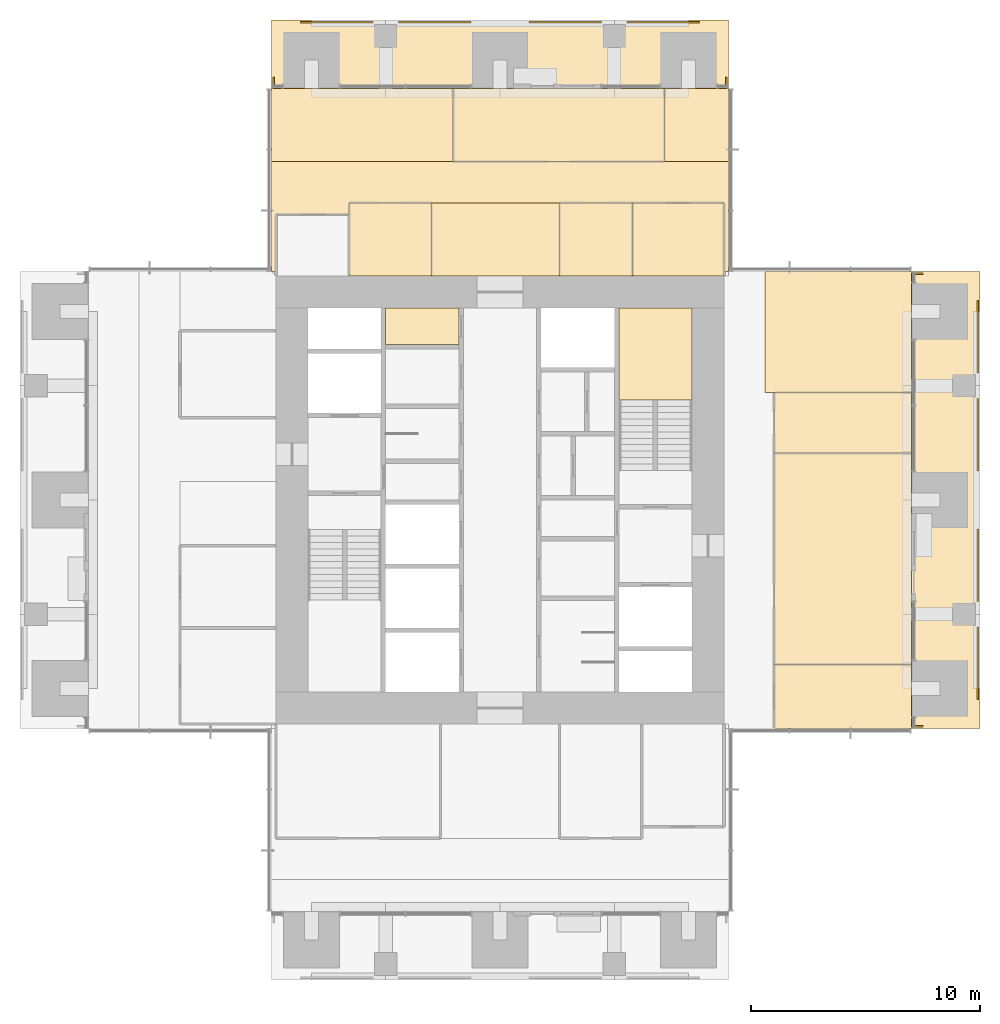
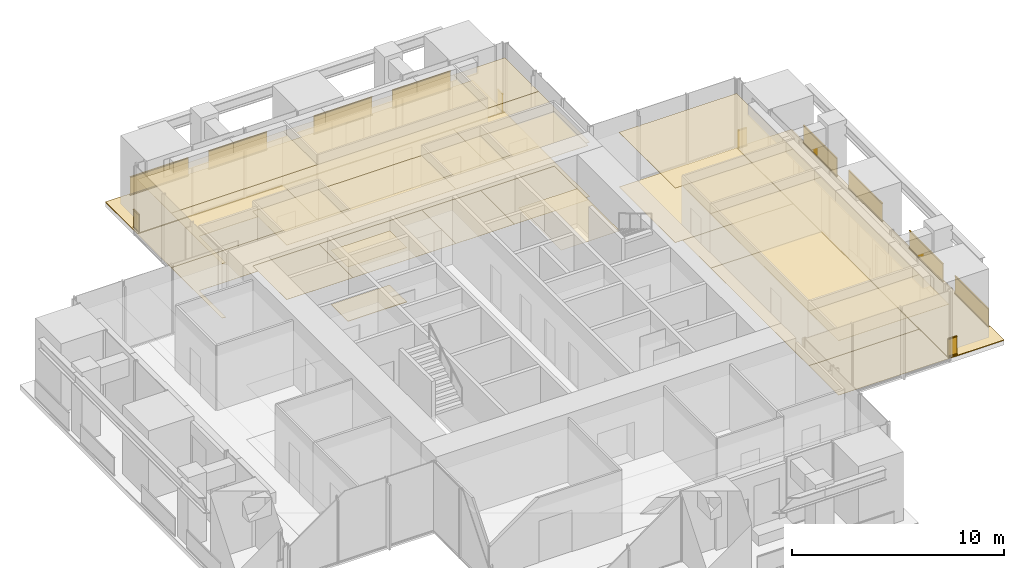
# One storey, part 16 of 17: 29 coverings, 12 railings.
"""IFC4 building model written with IfcOpenShell, lengths in metres."""

from ifc_helpers import new_model, si_unit, direction, frame, origin, origin_2d, place, context, subcontext, project, spatial, polyline, rectangle, outline, extrude, material, layer, layer_set, type_object, element, save


model = new_model("IFC4")

# Units and contexts
model_context = context("Model", 3, precision=1e-05, world=origin(), true_north=direction((0.0, 1.0)))
body_context = subcontext(model_context, "Body", "Model", "MODEL_VIEW")
ifc_project = project(units=[si_unit("LENGTHUNIT", "METRE"), si_unit("AREAUNIT", "SQUARE_METRE"), si_unit("VOLUMEUNIT", "CUBIC_METRE"), si_unit("PLANEANGLEUNIT", "RADIAN"), si_unit("MASSUNIT", "GRAM", prefix="KILO")], contexts=[model_context])

# Site, building, storey
site_placement = place(None, origin())
site = spatial("IfcSite", under=ifc_project, at=site_placement, CompositionType="ELEMENT")
building_placement = place(site_placement, origin())
building = spatial("IfcBuilding", under=site, at=building_placement, Name="Svetlomir Tower", CompositionType="ELEMENT")
storey_placement = place(building_placement, frame((0.0, 0.0, 178.5)))
storey = spatial("IfcBuildingStorey", under=building, at=storey_placement, Name="L42", CompositionType="ELEMENT", Elevation=178.5)

# Railings
ifc_material_1 = material(Name="Bronze anodised aluminium and laminated glass", Category="aluminium")
railing_type = type_object("IfcRailingType", Name="BALCONY GUARD GR1 1100", PredefinedType="GUARDRAIL", material=ifc_material_1)
for number, where, name in (
    (1, (41.89990234375, 12.27490234375, 0.0), "Loggia guard E L42 bay 1"),
    (2, (41.89990234375, 16.550048828125, 0.0), "Loggia guard E L42 bay 2"),
    (3, (41.89990234375, 22.27490234375, 0.0), "Loggia guard E L42 bay 3"),
    (4, (41.89990234375, 26.550048828125, 0.0), "Loggia guard E L42 bay 4"),
):
    element("IfcRailing", number, at=place(storey_placement, frame(where)), inside=storey, type_object=railing_type, Name=name, PredefinedType="GUARDRAIL", context=body_context, shape_type="SweptSolid", body=[
        extrude(rectangle(XDim=0.06005859375, YDim=0.10009765625, at=origin_2d()), frame((0.0, 0.0, 0.050048828125), z_axis=(0.0, 1.0, 0.0), x_axis=(-1.0, 0.0, 0.0)), (0.0, 0.0, 1.0), 3.175048828125),
        extrude(rectangle(XDim=0.021484375, YDim=0.960205078125, at=origin_2d()), frame((0.0, 0.0, 0.580078125), z_axis=(0.0, 1.0, 0.0), x_axis=(-1.0, 0.0, 0.0)), (0.0, 0.0, 1.0), 3.175048828125),
        extrude(rectangle(XDim=0.06005859375, YDim=0.0400390625, at=origin_2d()), frame((0.0, 0.0, 1.080078125), z_axis=(0.0, 1.0, 0.0), x_axis=(-1.0, 0.0, 0.0)), (0.0, 0.0, 1.0), 3.175048828125),
    ])
for number, where, name in (
    (5, (39.5, 11.10009765625, 0.0), "Loggia guard E L42 end 1"),
    (6, (39.5, 30.89990234375, 0.0), "Loggia guard E L42 end 2"),
):
    element("IfcRailing", number, at=place(storey_placement, frame(where)), inside=storey, type_object=railing_type, Name=name, PredefinedType="GUARDRAIL", context=body_context, shape_type="SweptSolid", body=[
        extrude(rectangle(XDim=0.06005859375, YDim=0.10009765625, at=origin_2d()), frame((0.0, 0.0, 0.050048828125), z_axis=(-1.0, 0.0, 0.0), x_axis=(0.0, -1.0, 0.0)), (0.0, 0.0, 1.0), 0.5),
        extrude(rectangle(XDim=0.021484375, YDim=0.960205078125, at=origin_2d()), frame((0.0, 0.0, 0.580078125), z_axis=(-1.0, 0.0, 0.0), x_axis=(0.0, -1.0, 0.0)), (0.0, 0.0, 1.0), 0.5),
        extrude(rectangle(XDim=0.06005859375, YDim=0.0400390625, at=origin_2d()), frame((0.0, 0.0, 1.080078125), z_axis=(-1.0, 0.0, 0.0), x_axis=(0.0, -1.0, 0.0)), (0.0, 0.0, 1.0), 0.5),
    ])
for number, where, name in (
    (7, (12.27490234375, 41.89990234375, 0.0), "Loggia guard N L42 bay 1"),
    (8, (16.550048828125, 41.89990234375, 0.0), "Loggia guard N L42 bay 2"),
    (9, (22.27490234375, 41.89990234375, 0.0), "Loggia guard N L42 bay 3"),
    (10, (26.550048828125, 41.89990234375, 0.0), "Loggia guard N L42 bay 4"),
):
    element("IfcRailing", number, at=place(storey_placement, frame(where)), inside=storey, type_object=railing_type, Name=name, PredefinedType="GUARDRAIL", context=body_context, shape_type="SweptSolid", body=[
        extrude(rectangle(XDim=0.06005859375, YDim=0.10009765625, at=origin_2d()), frame((0.0, 0.0, 0.050048828125), z_axis=(1.0, 0.0, 0.0), x_axis=(0.0, 1.0, 0.0)), (0.0, 0.0, 1.0), 3.175048828125),
        extrude(rectangle(XDim=0.021484375, YDim=0.960205078125, at=origin_2d()), frame((0.0, 0.0, 0.580078125), z_axis=(1.0, 0.0, 0.0), x_axis=(0.0, 1.0, 0.0)), (0.0, 0.0, 1.0), 3.175048828125),
        extrude(rectangle(XDim=0.06005859375, YDim=0.0400390625, at=origin_2d()), frame((0.0, 0.0, 1.080078125), z_axis=(1.0, 0.0, 0.0), x_axis=(0.0, 1.0, 0.0)), (0.0, 0.0, 1.0), 3.175048828125),
    ])
for number, where, name in (
    (11, (11.10009765625, 39.5, 0.0), "Loggia guard N L42 end 1"),
    (12, (30.89990234375, 39.5, 0.0), "Loggia guard N L42 end 2"),
):
    element("IfcRailing", number, at=place(storey_placement, frame(where)), inside=storey, type_object=railing_type, Name=name, PredefinedType="GUARDRAIL", context=body_context, shape_type="SweptSolid", body=[
        extrude(rectangle(XDim=0.06005859375, YDim=0.10009765625, at=origin_2d()), frame((0.0, 0.0, 0.050048828125), z_axis=(0.0, -1.0, 0.0), x_axis=(1.0, 0.0, 0.0)), (0.0, 0.0, 1.0), 0.5),
        extrude(rectangle(XDim=0.021484375, YDim=0.960205078125, at=origin_2d()), frame((0.0, 0.0, 0.580078125), z_axis=(0.0, -1.0, 0.0), x_axis=(1.0, 0.0, 0.0)), (0.0, 0.0, 1.0), 0.5),
        extrude(rectangle(XDim=0.06005859375, YDim=0.0400390625, at=origin_2d()), frame((0.0, 0.0, 1.080078125), z_axis=(0.0, -1.0, 0.0), x_axis=(1.0, 0.0, 0.0)), (0.0, 0.0, 1.0), 0.5),
    ])

# Coverings
ifc_material_2 = material(Name="Granite paving slabs on pedestals", Category="masonry")
ifc_layer_1 = layer(ifc_material_2, 0.0400390625)
ifc_layer_set_1 = layer_set([ifc_layer_1], Name="Granite paving slabs on pedestals")
covering_type_1 = type_object("IfcCoveringType", Name="BALCONY PAVING 40", PredefinedType="USERDEFINED", material=ifc_layer_set_1)
covering_1_placement = place(storey_placement, origin())
element("IfcCovering", 13, at=covering_1_placement, inside=storey, type_object=covering_type_1, Name="Loggia paving E L42", ObjectType="BALCONY PAVING", PredefinedType="USERDEFINED", context=body_context, shape_type="SweptSolid", body=[
    extrude(outline(polyline([(39.0, 11.0), (42.0, 11.0), (42.0, 31.0), (39.0, 31.0), (39.0, 11.0)])), origin(), (0.0, 0.0, 1.0), 0.0400390625),
])
covering_2_placement = place(storey_placement, origin())
element("IfcCovering", 14, at=covering_2_placement, inside=storey, type_object=covering_type_1, Name="Loggia paving N L42", ObjectType="BALCONY PAVING", PredefinedType="USERDEFINED", context=body_context, shape_type="SweptSolid", body=[
    extrude(outline(polyline([(11.0, 39.0), (31.0, 39.0), (31.0, 42.0), (11.0, 42.0), (11.0, 39.0)])), origin(), (0.0, 0.0, 1.0), 0.0400390625),
])
ifc_material_3 = material(Name="Carpet tile", Category="textile")
ifc_layer_2 = layer(ifc_material_3, 0.010009765625)
ifc_layer_set_2 = layer_set([ifc_layer_2], Name="Carpet tile")
covering_type_2 = type_object("IfcCoveringType", Name="CARPET TILE FLOOR 10", PredefinedType="FLOORING", material=ifc_layer_set_2)
covering_3_placement = place(storey_placement, origin())
element("IfcCovering", 15, at=covering_3_placement, inside=storey, type_object=covering_type_2, Name="Floor finish L42-20", PredefinedType="FLOORING", context=body_context, shape_type="SweptSolid", body=[
    extrude(outline(polyline([(33.0, 11.0), (39.0, 11.0), (39.0, 13.800048828125), (33.0, 13.800048828125), (33.0, 11.0)])), origin(), (0.0, 0.0, 1.0), 0.010009765625),
])
covering_4_placement = place(storey_placement, origin())
element("IfcCovering", 16, at=covering_4_placement, inside=storey, type_object=covering_type_2, Name="Floor finish L42-21", PredefinedType="FLOORING", context=body_context, shape_type="SweptSolid", body=[
    extrude(outline(polyline([(33.0, 13.800048828125), (39.0, 13.800048828125), (39.0, 23.050048828125), (33.0, 23.050048828125), (33.0, 13.800048828125)])), origin(), (0.0, 0.0, 1.0), 0.010009765625),
])
covering_5_placement = place(storey_placement, origin())
element("IfcCovering", 17, at=covering_5_placement, inside=storey, type_object=covering_type_2, Name="Floor finish L42-22", PredefinedType="FLOORING", context=body_context, shape_type="SweptSolid", body=[
    extrude(outline(polyline([(33.0, 23.050048828125), (39.0, 23.050048828125), (39.0, 25.699951171875), (33.0, 25.699951171875), (33.0, 23.050048828125)])), origin(), (0.0, 0.0, 1.0), 0.010009765625),
])
covering_6_placement = place(storey_placement, origin())
element("IfcCovering", 18, at=covering_6_placement, inside=storey, type_object=covering_type_2, Name="Floor finish L42-24", PredefinedType="FLOORING", context=body_context, shape_type="SweptSolid", body=[
    extrude(outline(polyline([(14.39990234375, 30.800048828125), (18.0, 30.800048828125), (18.0, 34.0), (14.39990234375, 34.0), (14.39990234375, 30.800048828125)])), origin(), (0.0, 0.0, 1.0), 0.010009765625),
])
covering_7_placement = place(storey_placement, origin())
element("IfcCovering", 19, at=covering_7_placement, inside=storey, type_object=covering_type_2, Name="Floor finish L42-25", PredefinedType="FLOORING", context=body_context, shape_type="SweptSolid", body=[
    extrude(outline(polyline([(23.60009765625, 30.800048828125), (26.800048828125, 30.800048828125), (26.800048828125, 34.0), (23.60009765625, 34.0), (23.60009765625, 30.800048828125)])), origin(), (0.0, 0.0, 1.0), 0.010009765625),
])
covering_8_placement = place(storey_placement, origin())
element("IfcCovering", 20, at=covering_8_placement, inside=storey, type_object=covering_type_2, Name="Floor finish L42-26", PredefinedType="FLOORING", context=body_context, shape_type="SweptSolid", body=[
    extrude(outline(polyline([(26.800048828125, 30.800048828125), (30.800048828125, 30.800048828125), (30.800048828125, 34.0), (26.800048828125, 34.0), (26.800048828125, 30.800048828125)])), origin(), (0.0, 0.0, 1.0), 0.010009765625),
])
covering_9_placement = place(storey_placement, origin())
element("IfcCovering", 21, at=covering_9_placement, inside=storey, type_object=covering_type_2, Name="Floor finish L42-27", PredefinedType="FLOORING", context=body_context, shape_type="SweptSolid", body=[
    extrude(outline(polyline([(18.949951171875, 35.800048828125), (28.199951171875, 35.800048828125), (28.199951171875, 39.0), (18.949951171875, 39.0), (18.949951171875, 35.800048828125)])), origin(), (0.0, 0.0, 1.0), 0.010009765625),
])
covering_10_placement = place(storey_placement, origin())
element("IfcCovering", 22, at=covering_10_placement, inside=storey, type_object=covering_type_2, Name="Floor finish L42-34", PredefinedType="FLOORING", context=body_context, shape_type="SweptSolid", body=[
    extrude(outline(polyline([(30.800048828125, 34.0), (14.39990234375, 34.0), (14.39990234375, 33.5), (11.199951171875, 33.5), (11.199951171875, 31.0), (11.0, 31.0), (11.0, 35.800048828125), (31.0, 35.800048828125), (31.0, 31.0), (30.800048828125, 31.0), (30.800048828125, 34.0)])), origin(), (0.0, 0.0, 1.0), 0.010009765625),
])
covering_11_placement = place(storey_placement, origin())
element("IfcCovering", 23, at=covering_11_placement, inside=storey, type_object=covering_type_2, Name="Floor finish L42-37", PredefinedType="FLOORING", context=body_context, shape_type="SweptSolid", body=[
    extrude(outline(polyline([(39.0, 25.699951171875), (32.60009765625, 25.699951171875), (32.60009765625, 31.0), (39.0, 31.0), (39.0, 25.699951171875)])), origin(), (0.0, 0.0, 1.0), 0.010009765625),
])
covering_12_placement = place(storey_placement, origin())
element("IfcCovering", 24, at=covering_12_placement, inside=storey, type_object=covering_type_2, Name="Floor finish L42-38", PredefinedType="FLOORING", context=body_context, shape_type="SweptSolid", body=[
    extrude(outline(polyline([(18.0, 30.800048828125), (18.0, 34.0), (23.60009765625, 34.0), (23.60009765625, 30.800048828125), (18.0, 30.800048828125)])), origin(), (0.0, 0.0, 1.0), 0.010009765625),
])
covering_13_placement = place(storey_placement, origin())
element("IfcCovering", 25, at=covering_13_placement, inside=storey, type_object=covering_type_2, Name="Floor finish L42-39", PredefinedType="FLOORING", context=body_context, shape_type="SweptSolid", body=[
    extrude(outline(polyline([(18.949951171875, 39.0), (18.949951171875, 35.800048828125), (11.0, 35.800048828125), (11.0, 39.0), (18.949951171875, 39.0)])), origin(), (0.0, 0.0, 1.0), 0.010009765625),
])
covering_14_placement = place(storey_placement, origin())
element("IfcCovering", 26, at=covering_14_placement, inside=storey, type_object=covering_type_2, Name="Floor finish L42-40", PredefinedType="FLOORING", context=body_context, shape_type="SweptSolid", body=[
    extrude(outline(polyline([(31.0, 39.0), (31.0, 35.800048828125), (28.199951171875, 35.800048828125), (28.199951171875, 39.0), (31.0, 39.0)])), origin(), (0.0, 0.0, 1.0), 0.010009765625),
])
ifc_material_4 = material(Name="Gypsum plasterboard ceiling", Category="gypsum")
ifc_layer_3 = layer(ifc_material_4, 0.014892578125)
ifc_layer_set_3 = layer_set([ifc_layer_3], Name="Gypsum plasterboard ceiling")
covering_type_3 = type_object("IfcCoveringType", Name="PLASTERBOARD CEILING 15", PredefinedType="CEILING", material=ifc_layer_set_3)
covering_15_placement = place(storey_placement, frame((0.0, 0.0, 3.135009765625)))
element("IfcCovering", 27, at=covering_15_placement, inside=storey, type_object=covering_type_3, Name="Ceiling L42-06", PredefinedType="CEILING", context=body_context, shape_type="SweptSolid", body=[
    extrude(outline(polyline([(16.0, 27.800048828125), (19.199951171875, 27.800048828125), (19.199951171875, 29.39990234375), (16.0, 29.39990234375), (16.0, 27.800048828125)])), origin(), (0.0, 0.0, 1.0), 0.014892578125),
])
ifc_material_5 = material(Name="Studded rubber floor finish", Category="rubber")
ifc_layer_4 = layer(ifc_material_5, 0.006103515625)
ifc_layer_set_4 = layer_set([ifc_layer_4], Name="Studded rubber floor finish")
covering_type_4 = type_object("IfcCoveringType", Name="RUBBER LANDING FINISH 6", PredefinedType="FLOORING", material=ifc_layer_set_4)
covering_16_placement = place(storey_placement, frame((0.0, 0.0, 2.0)))
element("IfcCovering", 28, at=covering_16_placement, inside=storey, type_object=covering_type_4, Name="Stair S2 landing finish L42", PredefinedType="FLOORING", context=body_context, shape_type="SweptSolid", body=[
    extrude(outline(polyline([(26.199951171875, 25.3798828125), (29.39990234375, 25.3798828125), (29.39990234375, 29.39990234375), (26.199951171875, 29.39990234375), (26.199951171875, 25.3798828125)])), origin(), (0.0, 0.0, 1.0), 0.006103515625),
])
ifc_material_6 = material(Name="Mineral fibre ceiling tile", Category="mineral")
ifc_layer_5 = layer(ifc_material_6, 0.02001953125)
ifc_layer_set_5 = layer_set([ifc_layer_5], Name="Mineral fibre ceiling tile")
covering_type_5 = type_object("IfcCoveringType", Name="SUSPENDED CEILING 20", PredefinedType="CEILING", material=ifc_layer_set_5)
covering_17_placement = place(storey_placement, frame((0.0, 0.0, 3.1298828125)))
element("IfcCovering", 29, at=covering_17_placement, inside=storey, type_object=covering_type_5, Name="Ceiling L42-20", PredefinedType="CEILING", context=body_context, shape_type="SweptSolid", body=[
    extrude(outline(polyline([(33.0, 11.0), (39.0, 11.0), (39.0, 13.800048828125), (33.0, 13.800048828125), (33.0, 11.0)])), origin(), (0.0, 0.0, 1.0), 0.02001953125),
])
covering_18_placement = place(storey_placement, frame((0.0, 0.0, 3.1298828125)))
element("IfcCovering", 30, at=covering_18_placement, inside=storey, type_object=covering_type_5, Name="Ceiling L42-21", PredefinedType="CEILING", context=body_context, shape_type="SweptSolid", body=[
    extrude(outline(polyline([(33.0, 13.800048828125), (39.0, 13.800048828125), (39.0, 23.050048828125), (33.0, 23.050048828125), (33.0, 13.800048828125)])), origin(), (0.0, 0.0, 1.0), 0.02001953125),
])
covering_19_placement = place(storey_placement, frame((0.0, 0.0, 3.1298828125)))
element("IfcCovering", 31, at=covering_19_placement, inside=storey, type_object=covering_type_5, Name="Ceiling L42-22", PredefinedType="CEILING", context=body_context, shape_type="SweptSolid", body=[
    extrude(outline(polyline([(33.0, 23.050048828125), (39.0, 23.050048828125), (39.0, 25.699951171875), (33.0, 25.699951171875), (33.0, 23.050048828125)])), origin(), (0.0, 0.0, 1.0), 0.02001953125),
])
covering_20_placement = place(storey_placement, frame((0.0, 0.0, 3.1298828125)))
element("IfcCovering", 32, at=covering_20_placement, inside=storey, type_object=covering_type_5, Name="Ceiling L42-24", PredefinedType="CEILING", context=body_context, shape_type="SweptSolid", body=[
    extrude(outline(polyline([(14.39990234375, 30.800048828125), (18.0, 30.800048828125), (18.0, 34.0), (14.39990234375, 34.0), (14.39990234375, 30.800048828125)])), origin(), (0.0, 0.0, 1.0), 0.02001953125),
])
covering_21_placement = place(storey_placement, frame((0.0, 0.0, 3.1298828125)))
element("IfcCovering", 33, at=covering_21_placement, inside=storey, type_object=covering_type_5, Name="Ceiling L42-25", PredefinedType="CEILING", context=body_context, shape_type="SweptSolid", body=[
    extrude(outline(polyline([(23.60009765625, 30.800048828125), (26.800048828125, 30.800048828125), (26.800048828125, 34.0), (23.60009765625, 34.0), (23.60009765625, 30.800048828125)])), origin(), (0.0, 0.0, 1.0), 0.02001953125),
])
covering_22_placement = place(storey_placement, frame((0.0, 0.0, 3.1298828125)))
element("IfcCovering", 34, at=covering_22_placement, inside=storey, type_object=covering_type_5, Name="Ceiling L42-26", PredefinedType="CEILING", context=body_context, shape_type="SweptSolid", body=[
    extrude(outline(polyline([(26.800048828125, 30.800048828125), (30.800048828125, 30.800048828125), (30.800048828125, 34.0), (26.800048828125, 34.0), (26.800048828125, 30.800048828125)])), origin(), (0.0, 0.0, 1.0), 0.02001953125),
])
covering_23_placement = place(storey_placement, frame((0.0, 0.0, 3.1298828125)))
element("IfcCovering", 35, at=covering_23_placement, inside=storey, type_object=covering_type_5, Name="Ceiling L42-27", PredefinedType="CEILING", context=body_context, shape_type="SweptSolid", body=[
    extrude(outline(polyline([(18.949951171875, 35.800048828125), (28.199951171875, 35.800048828125), (28.199951171875, 39.0), (18.949951171875, 39.0), (18.949951171875, 35.800048828125)])), origin(), (0.0, 0.0, 1.0), 0.02001953125),
])
covering_24_placement = place(storey_placement, frame((0.0, 0.0, 3.1298828125)))
element("IfcCovering", 36, at=covering_24_placement, inside=storey, type_object=covering_type_5, Name="Ceiling L42-34", PredefinedType="CEILING", context=body_context, shape_type="SweptSolid", body=[
    extrude(outline(polyline([(30.800048828125, 34.0), (14.39990234375, 34.0), (14.39990234375, 33.5), (11.199951171875, 33.5), (11.199951171875, 31.0), (11.0, 31.0), (11.0, 35.800048828125), (31.0, 35.800048828125), (31.0, 31.0), (30.800048828125, 31.0), (30.800048828125, 34.0)])), origin(), (0.0, 0.0, 1.0), 0.02001953125),
])
covering_25_placement = place(storey_placement, frame((0.0, 0.0, 3.1298828125)))
element("IfcCovering", 37, at=covering_25_placement, inside=storey, type_object=covering_type_5, Name="Ceiling L42-37", PredefinedType="CEILING", context=body_context, shape_type="SweptSolid", body=[
    extrude(outline(polyline([(39.0, 25.699951171875), (32.60009765625, 25.699951171875), (32.60009765625, 31.0), (39.0, 31.0), (39.0, 25.699951171875)])), origin(), (0.0, 0.0, 1.0), 0.02001953125),
])
covering_26_placement = place(storey_placement, frame((0.0, 0.0, 3.1298828125)))
element("IfcCovering", 38, at=covering_26_placement, inside=storey, type_object=covering_type_5, Name="Ceiling L42-38", PredefinedType="CEILING", context=body_context, shape_type="SweptSolid", body=[
    extrude(outline(polyline([(18.0, 30.800048828125), (18.0, 34.0), (23.60009765625, 34.0), (23.60009765625, 30.800048828125), (18.0, 30.800048828125)])), origin(), (0.0, 0.0, 1.0), 0.02001953125),
])
covering_27_placement = place(storey_placement, frame((0.0, 0.0, 3.1298828125)))
element("IfcCovering", 39, at=covering_27_placement, inside=storey, type_object=covering_type_5, Name="Ceiling L42-39", PredefinedType="CEILING", context=body_context, shape_type="SweptSolid", body=[
    extrude(outline(polyline([(18.949951171875, 39.0), (18.949951171875, 35.800048828125), (11.0, 35.800048828125), (11.0, 39.0), (18.949951171875, 39.0)])), origin(), (0.0, 0.0, 1.0), 0.02001953125),
])
covering_28_placement = place(storey_placement, frame((0.0, 0.0, 3.1298828125)))
element("IfcCovering", 40, at=covering_28_placement, inside=storey, type_object=covering_type_5, Name="Ceiling L42-40", PredefinedType="CEILING", context=body_context, shape_type="SweptSolid", body=[
    extrude(outline(polyline([(31.0, 39.0), (31.0, 35.800048828125), (28.199951171875, 35.800048828125), (28.199951171875, 39.0), (31.0, 39.0)])), origin(), (0.0, 0.0, 1.0), 0.02001953125),
])
ifc_material_7 = material(Name="Bronze-aggregate terrazzo", Category="stone")
ifc_layer_6 = layer(ifc_material_7, 0.030029296875)
ifc_layer_set_6 = layer_set([ifc_layer_6], Name="Bronze-aggregate terrazzo")
covering_type_6 = type_object("IfcCoveringType", Name="TERRAZZO FLOOR 30", PredefinedType="FLOORING", material=ifc_layer_set_6)
covering_29_placement = place(storey_placement, origin())
element("IfcCovering", 41, at=covering_29_placement, inside=storey, type_object=covering_type_6, Name="Floor finish L42-06", PredefinedType="FLOORING", context=body_context, shape_type="SweptSolid", body=[
    extrude(outline(polyline([(16.0, 27.800048828125), (19.199951171875, 27.800048828125), (19.199951171875, 29.39990234375), (16.0, 29.39990234375), (16.0, 27.800048828125)])), origin(), (0.0, 0.0, 1.0), 0.030029296875),
])

save(model, "model.ifc")
